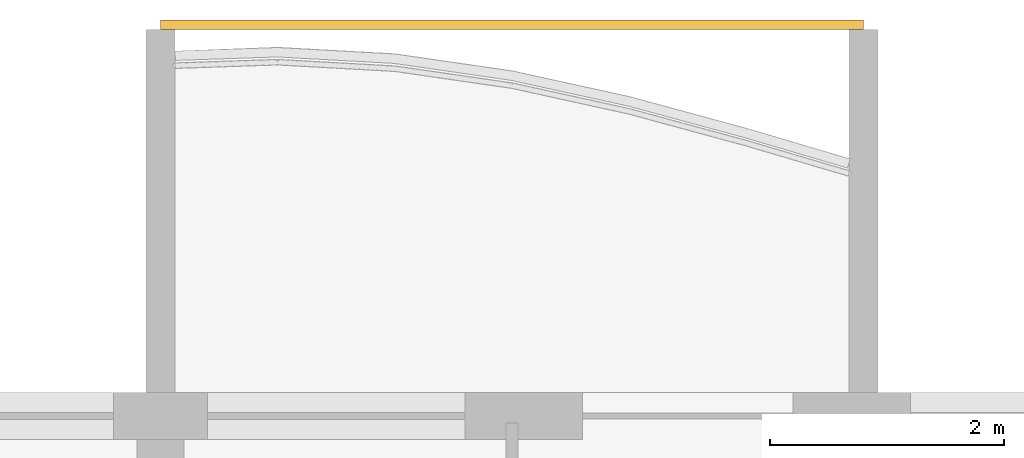
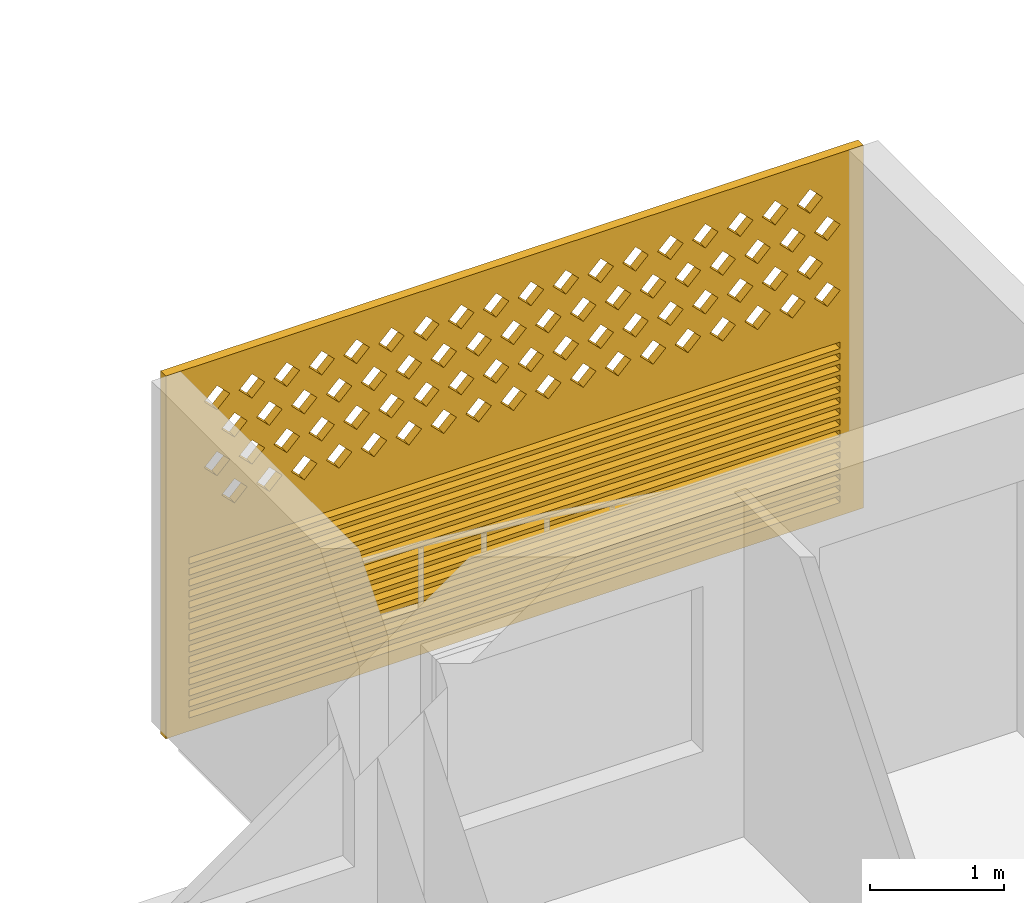
# One storey, part 25 of 40: 1 covering.
"""IFC4 building model written with IfcOpenShell, lengths in metres."""

from ifc_helpers import new_model, si_unit, direction, frame, origin, place, context, subcontext, project, spatial, polyline, outline, extrude, source, transform, mapped, material, material_profile, profile_set, type_object, element, save


model = new_model("IFC4")

# Units and contexts
model_context = context("Model", 3, precision=1e-05, world=origin(), true_north=direction((0.0, 1.0)))
body_context = subcontext(model_context, "Body", "Model", "MODEL_VIEW")
ifc_project = project(units=[si_unit("LENGTHUNIT", "METRE"), si_unit("AREAUNIT", "SQUARE_METRE"), si_unit("VOLUMEUNIT", "CUBIC_METRE"), si_unit("PLANEANGLEUNIT", "RADIAN"), si_unit("MASSUNIT", "GRAM", prefix="KILO")], contexts=[model_context])

# Site, building, storey
site_placement = place(None, origin())
site = spatial("IfcSite", under=ifc_project, at=site_placement, CompositionType="ELEMENT")
building_placement = place(site_placement, origin())
building = spatial("IfcBuilding", under=site, at=building_placement, Name="Poui Terraces", CompositionType="ELEMENT")
storey_placement = place(building_placement, frame((0.0, 0.0, 39.89990234375)))
storey = spatial("IfcBuildingStorey", under=building, at=storey_placement, Name="L10", CompositionType="ELEMENT", Elevation=39.89990234375)

# Covering
ifc_material = material(Name="Terracotta screen", Category="masonry")
ifc_material_profile = material_profile(ifc_material, outline(polyline([(-3.0, -1.64990234375), (3.0, -1.64990234375), (3.0, 1.64990234375), (-3.0, 1.64990234375), (-3.0, -1.64990234375)]), holes=[polyline([(-2.800048828125, 0.39990234375), (-2.68994140625, 0.2900390625), (-2.580078125, 0.39990234375), (-2.68994140625, 0.510009765625), (-2.800048828125, 0.39990234375)]), polyline([(-2.5, 0.39990234375), (-2.389892578125, 0.2900390625), (-2.280029296875, 0.39990234375), (-2.389892578125, 0.510009765625), (-2.5, 0.39990234375)]), polyline([(-2.199951171875, 0.39990234375), (-2.090087890625, 0.2900390625), (-1.97998046875, 0.39990234375), (-2.090087890625, 0.510009765625), (-2.199951171875, 0.39990234375)]), polyline([(-1.89990234375, 0.39990234375), (-1.7900390625, 0.2900390625), (-1.679931640625, 0.39990234375), (-1.7900390625, 0.510009765625), (-1.89990234375, 0.39990234375)]), polyline([(-1.60009765625, 0.39990234375), (-1.489990234375, 0.2900390625), (-1.3798828125, 0.39990234375), (-1.489990234375, 0.510009765625), (-1.60009765625, 0.39990234375)]), polyline([(-1.300048828125, 0.39990234375), (-1.18994140625, 0.2900390625), (-1.080078125, 0.39990234375), (-1.18994140625, 0.510009765625), (-1.300048828125, 0.39990234375)]), polyline([(-1.0, 0.39990234375), (-0.889892578125, 0.2900390625), (-0.780029296875, 0.39990234375), (-0.889892578125, 0.510009765625), (-1.0, 0.39990234375)]), polyline([(-0.699951171875, 0.39990234375), (-0.590087890625, 0.2900390625), (-0.47998046875, 0.39990234375), (-0.590087890625, 0.510009765625), (-0.699951171875, 0.39990234375)]), polyline([(-0.39990234375, 0.39990234375), (-0.2900390625, 0.2900390625), (-0.179931640625, 0.39990234375), (-0.2900390625, 0.510009765625), (-0.39990234375, 0.39990234375)]), polyline([(-0.10009765625, 0.39990234375), (0.010009765625, 0.2900390625), (0.1201171875, 0.39990234375), (0.010009765625, 0.510009765625), (-0.10009765625, 0.39990234375)]), polyline([(0.199951171875, 0.39990234375), (0.31005859375, 0.2900390625), (0.419921875, 0.39990234375), (0.31005859375, 0.510009765625), (0.199951171875, 0.39990234375)]), polyline([(0.5, 0.39990234375), (0.610107421875, 0.2900390625), (0.719970703125, 0.39990234375), (0.610107421875, 0.510009765625), (0.5, 0.39990234375)]), polyline([(0.800048828125, 0.39990234375), (0.909912109375, 0.2900390625), (1.02001953125, 0.39990234375), (0.909912109375, 0.510009765625), (0.800048828125, 0.39990234375)]), polyline([(1.10009765625, 0.39990234375), (1.2099609375, 0.2900390625), (1.320068359375, 0.39990234375), (1.2099609375, 0.510009765625), (1.10009765625, 0.39990234375)]), polyline([(1.39990234375, 0.39990234375), (1.510009765625, 0.2900390625), (1.6201171875, 0.39990234375), (1.510009765625, 0.510009765625), (1.39990234375, 0.39990234375)]), polyline([(1.699951171875, 0.39990234375), (1.81005859375, 0.2900390625), (1.919921875, 0.39990234375), (1.81005859375, 0.510009765625), (1.699951171875, 0.39990234375)]), polyline([(2.0, 0.39990234375), (2.110107421875, 0.2900390625), (2.219970703125, 0.39990234375), (2.110107421875, 0.510009765625), (2.0, 0.39990234375)]), polyline([(2.300048828125, 0.39990234375), (2.409912109375, 0.2900390625), (2.52001953125, 0.39990234375), (2.409912109375, 0.510009765625), (2.300048828125, 0.39990234375)]), polyline([(-2.64990234375, 0.699951171875), (-2.5400390625, 0.590087890625), (-2.429931640625, 0.699951171875), (-2.5400390625, 0.81005859375), (-2.64990234375, 0.699951171875)]), polyline([(-2.35009765625, 0.699951171875), (-2.239990234375, 0.590087890625), (-2.1298828125, 0.699951171875), (-2.239990234375, 0.81005859375), (-2.35009765625, 0.699951171875)]), polyline([(-2.050048828125, 0.699951171875), (-1.93994140625, 0.590087890625), (-1.830078125, 0.699951171875), (-1.93994140625, 0.81005859375), (-2.050048828125, 0.699951171875)]), polyline([(-1.75, 0.699951171875), (-1.639892578125, 0.590087890625), (-1.530029296875, 0.699951171875), (-1.639892578125, 0.81005859375), (-1.75, 0.699951171875)]), polyline([(-1.449951171875, 0.699951171875), (-1.340087890625, 0.590087890625), (-1.22998046875, 0.699951171875), (-1.340087890625, 0.81005859375), (-1.449951171875, 0.699951171875)]), polyline([(-1.14990234375, 0.699951171875), (-1.0400390625, 0.590087890625), (-0.929931640625, 0.699951171875), (-1.0400390625, 0.81005859375), (-1.14990234375, 0.699951171875)]), polyline([(-0.85009765625, 0.699951171875), (-0.739990234375, 0.590087890625), (-0.6298828125, 0.699951171875), (-0.739990234375, 0.81005859375), (-0.85009765625, 0.699951171875)]), polyline([(-0.550048828125, 0.699951171875), (-0.43994140625, 0.590087890625), (-0.330078125, 0.699951171875), (-0.43994140625, 0.81005859375), (-0.550048828125, 0.699951171875)]), polyline([(-0.25, 0.699951171875), (-0.139892578125, 0.590087890625), (-0.030029296875, 0.699951171875), (-0.139892578125, 0.81005859375), (-0.25, 0.699951171875)]), polyline([(0.050048828125, 0.699951171875), (0.159912109375, 0.590087890625), (0.27001953125, 0.699951171875), (0.159912109375, 0.81005859375), (0.050048828125, 0.699951171875)]), polyline([(0.35009765625, 0.699951171875), (0.4599609375, 0.590087890625), (0.570068359375, 0.699951171875), (0.4599609375, 0.81005859375), (0.35009765625, 0.699951171875)]), polyline([(0.64990234375, 0.699951171875), (0.760009765625, 0.590087890625), (0.8701171875, 0.699951171875), (0.760009765625, 0.81005859375), (0.64990234375, 0.699951171875)]), polyline([(0.949951171875, 0.699951171875), (1.06005859375, 0.590087890625), (1.169921875, 0.699951171875), (1.06005859375, 0.81005859375), (0.949951171875, 0.699951171875)]), polyline([(1.25, 0.699951171875), (1.360107421875, 0.590087890625), (1.469970703125, 0.699951171875), (1.360107421875, 0.81005859375), (1.25, 0.699951171875)]), polyline([(1.550048828125, 0.699951171875), (1.659912109375, 0.590087890625), (1.77001953125, 0.699951171875), (1.659912109375, 0.81005859375), (1.550048828125, 0.699951171875)]), polyline([(1.85009765625, 0.699951171875), (1.9599609375, 0.590087890625), (2.070068359375, 0.699951171875), (1.9599609375, 0.81005859375), (1.85009765625, 0.699951171875)]), polyline([(2.14990234375, 0.699951171875), (2.260009765625, 0.590087890625), (2.3701171875, 0.699951171875), (2.260009765625, 0.81005859375), (2.14990234375, 0.699951171875)]), polyline([(2.449951171875, 0.699951171875), (2.56005859375, 0.590087890625), (2.669921875, 0.699951171875), (2.56005859375, 0.81005859375), (2.449951171875, 0.699951171875)]), polyline([(-2.800048828125, 1.0), (-2.68994140625, 0.889892578125), (-2.580078125, 1.0), (-2.68994140625, 1.110107421875), (-2.800048828125, 1.0)]), polyline([(-2.5, 1.0), (-2.389892578125, 0.889892578125), (-2.280029296875, 1.0), (-2.389892578125, 1.110107421875), (-2.5, 1.0)]), polyline([(-2.199951171875, 1.0), (-2.090087890625, 0.889892578125), (-1.97998046875, 1.0), (-2.090087890625, 1.110107421875), (-2.199951171875, 1.0)]), polyline([(-1.89990234375, 1.0), (-1.7900390625, 0.889892578125), (-1.679931640625, 1.0), (-1.7900390625, 1.110107421875), (-1.89990234375, 1.0)]), polyline([(-1.60009765625, 1.0), (-1.489990234375, 0.889892578125), (-1.3798828125, 1.0), (-1.489990234375, 1.110107421875), (-1.60009765625, 1.0)]), polyline([(-1.300048828125, 1.0), (-1.18994140625, 0.889892578125), (-1.080078125, 1.0), (-1.18994140625, 1.110107421875), (-1.300048828125, 1.0)]), polyline([(-1.0, 1.0), (-0.889892578125, 0.889892578125), (-0.780029296875, 1.0), (-0.889892578125, 1.110107421875), (-1.0, 1.0)]), polyline([(-0.699951171875, 1.0), (-0.590087890625, 0.889892578125), (-0.47998046875, 1.0), (-0.590087890625, 1.110107421875), (-0.699951171875, 1.0)]), polyline([(-0.39990234375, 1.0), (-0.2900390625, 0.889892578125), (-0.179931640625, 1.0), (-0.2900390625, 1.110107421875), (-0.39990234375, 1.0)]), polyline([(-0.10009765625, 1.0), (0.010009765625, 0.889892578125), (0.1201171875, 1.0), (0.010009765625, 1.110107421875), (-0.10009765625, 1.0)]), polyline([(0.199951171875, 1.0), (0.31005859375, 0.889892578125), (0.419921875, 1.0), (0.31005859375, 1.110107421875), (0.199951171875, 1.0)]), polyline([(0.5, 1.0), (0.610107421875, 0.889892578125), (0.719970703125, 1.0), (0.610107421875, 1.110107421875), (0.5, 1.0)]), polyline([(0.800048828125, 1.0), (0.909912109375, 0.889892578125), (1.02001953125, 1.0), (0.909912109375, 1.110107421875), (0.800048828125, 1.0)]), polyline([(1.10009765625, 1.0), (1.2099609375, 0.889892578125), (1.320068359375, 1.0), (1.2099609375, 1.110107421875), (1.10009765625, 1.0)]), polyline([(1.39990234375, 1.0), (1.510009765625, 0.889892578125), (1.6201171875, 1.0), (1.510009765625, 1.110107421875), (1.39990234375, 1.0)]), polyline([(1.699951171875, 1.0), (1.81005859375, 0.889892578125), (1.919921875, 1.0), (1.81005859375, 1.110107421875), (1.699951171875, 1.0)]), polyline([(2.0, 1.0), (2.110107421875, 0.889892578125), (2.219970703125, 1.0), (2.110107421875, 1.110107421875), (2.0, 1.0)]), polyline([(2.300048828125, 1.0), (2.409912109375, 0.889892578125), (2.52001953125, 1.0), (2.409912109375, 1.110107421875), (2.300048828125, 1.0)]), polyline([(-2.64990234375, 1.300048828125), (-2.5400390625, 1.18994140625), (-2.429931640625, 1.300048828125), (-2.5400390625, 1.409912109375), (-2.64990234375, 1.300048828125)]), polyline([(-2.35009765625, 1.300048828125), (-2.239990234375, 1.18994140625), (-2.1298828125, 1.300048828125), (-2.239990234375, 1.409912109375), (-2.35009765625, 1.300048828125)]), polyline([(-2.050048828125, 1.300048828125), (-1.93994140625, 1.18994140625), (-1.830078125, 1.300048828125), (-1.93994140625, 1.409912109375), (-2.050048828125, 1.300048828125)]), polyline([(-1.75, 1.300048828125), (-1.639892578125, 1.18994140625), (-1.530029296875, 1.300048828125), (-1.639892578125, 1.409912109375), (-1.75, 1.300048828125)]), polyline([(-1.449951171875, 1.300048828125), (-1.340087890625, 1.18994140625), (-1.22998046875, 1.300048828125), (-1.340087890625, 1.409912109375), (-1.449951171875, 1.300048828125)]), polyline([(-1.14990234375, 1.300048828125), (-1.0400390625, 1.18994140625), (-0.929931640625, 1.300048828125), (-1.0400390625, 1.409912109375), (-1.14990234375, 1.300048828125)]), polyline([(-0.85009765625, 1.300048828125), (-0.739990234375, 1.18994140625), (-0.6298828125, 1.300048828125), (-0.739990234375, 1.409912109375), (-0.85009765625, 1.300048828125)]), polyline([(-0.550048828125, 1.300048828125), (-0.43994140625, 1.18994140625), (-0.330078125, 1.300048828125), (-0.43994140625, 1.409912109375), (-0.550048828125, 1.300048828125)]), polyline([(-0.25, 1.300048828125), (-0.139892578125, 1.18994140625), (-0.030029296875, 1.300048828125), (-0.139892578125, 1.409912109375), (-0.25, 1.300048828125)]), polyline([(0.050048828125, 1.300048828125), (0.159912109375, 1.18994140625), (0.27001953125, 1.300048828125), (0.159912109375, 1.409912109375), (0.050048828125, 1.300048828125)]), polyline([(0.35009765625, 1.300048828125), (0.4599609375, 1.18994140625), (0.570068359375, 1.300048828125), (0.4599609375, 1.409912109375), (0.35009765625, 1.300048828125)]), polyline([(0.64990234375, 1.300048828125), (0.760009765625, 1.18994140625), (0.8701171875, 1.300048828125), (0.760009765625, 1.409912109375), (0.64990234375, 1.300048828125)]), polyline([(0.949951171875, 1.300048828125), (1.06005859375, 1.18994140625), (1.169921875, 1.300048828125), (1.06005859375, 1.409912109375), (0.949951171875, 1.300048828125)]), polyline([(1.25, 1.300048828125), (1.360107421875, 1.18994140625), (1.469970703125, 1.300048828125), (1.360107421875, 1.409912109375), (1.25, 1.300048828125)]), polyline([(1.550048828125, 1.300048828125), (1.659912109375, 1.18994140625), (1.77001953125, 1.300048828125), (1.659912109375, 1.409912109375), (1.550048828125, 1.300048828125)]), polyline([(1.85009765625, 1.300048828125), (1.9599609375, 1.18994140625), (2.070068359375, 1.300048828125), (1.9599609375, 1.409912109375), (1.85009765625, 1.300048828125)]), polyline([(2.14990234375, 1.300048828125), (2.260009765625, 1.18994140625), (2.3701171875, 1.300048828125), (2.260009765625, 1.409912109375), (2.14990234375, 1.300048828125)]), polyline([(2.449951171875, 1.300048828125), (2.56005859375, 1.18994140625), (2.669921875, 1.300048828125), (2.56005859375, 1.409912109375), (2.449951171875, 1.300048828125)]), polyline([(-2.800048828125, -1.530029296875), (2.800048828125, -1.530029296875), (2.800048828125, -1.469970703125), (-2.800048828125, -1.469970703125), (-2.800048828125, -1.530029296875)]), polyline([(-2.800048828125, -1.429931640625), (2.800048828125, -1.429931640625), (2.800048828125, -1.3701171875), (-2.800048828125, -1.3701171875), (-2.800048828125, -1.429931640625)]), polyline([(-2.800048828125, -1.330078125), (2.800048828125, -1.330078125), (2.800048828125, -1.27001953125), (-2.800048828125, -1.27001953125), (-2.800048828125, -1.330078125)]), polyline([(-2.800048828125, -1.22998046875), (2.800048828125, -1.22998046875), (2.800048828125, -1.169921875), (-2.800048828125, -1.169921875), (-2.800048828125, -1.22998046875)]), polyline([(-2.800048828125, -1.1298828125), (2.800048828125, -1.1298828125), (2.800048828125, -1.070068359375), (-2.800048828125, -1.070068359375), (-2.800048828125, -1.1298828125)]), polyline([(-2.800048828125, -1.030029296875), (2.800048828125, -1.030029296875), (2.800048828125, -0.969970703125), (-2.800048828125, -0.969970703125), (-2.800048828125, -1.030029296875)]), polyline([(-2.800048828125, -0.929931640625), (2.800048828125, -0.929931640625), (2.800048828125, -0.8701171875), (-2.800048828125, -0.8701171875), (-2.800048828125, -0.929931640625)]), polyline([(-2.800048828125, -0.830078125), (2.800048828125, -0.830078125), (2.800048828125, -0.77001953125), (-2.800048828125, -0.77001953125), (-2.800048828125, -0.830078125)]), polyline([(-2.800048828125, -0.72998046875), (2.800048828125, -0.72998046875), (2.800048828125, -0.669921875), (-2.800048828125, -0.669921875), (-2.800048828125, -0.72998046875)]), polyline([(-2.800048828125, -0.6298828125), (2.800048828125, -0.6298828125), (2.800048828125, -0.570068359375), (-2.800048828125, -0.570068359375), (-2.800048828125, -0.6298828125)]), polyline([(-2.800048828125, -0.530029296875), (2.800048828125, -0.530029296875), (2.800048828125, -0.469970703125), (-2.800048828125, -0.469970703125), (-2.800048828125, -0.530029296875)]), polyline([(-2.800048828125, -0.429931640625), (2.800048828125, -0.429931640625), (2.800048828125, -0.3701171875), (-2.800048828125, -0.3701171875), (-2.800048828125, -0.429931640625)]), polyline([(-2.800048828125, -0.330078125), (2.800048828125, -0.330078125), (2.800048828125, -0.27001953125), (-2.800048828125, -0.27001953125), (-2.800048828125, -0.330078125)]), polyline([(-2.800048828125, -0.22998046875), (2.800048828125, -0.22998046875), (2.800048828125, -0.169921875), (-2.800048828125, -0.169921875), (-2.800048828125, -0.22998046875)]), polyline([(-2.800048828125, -0.1298828125), (2.800048828125, -0.1298828125), (2.800048828125, -0.070068359375), (-2.800048828125, -0.070068359375), (-2.800048828125, -0.1298828125)])]), Name="TERRACOTTA SCREEN AND JALOUSIE LOUVRE 6000X3300")
ifc_profile_set = profile_set([ifc_material_profile], Name="Terracotta screen")
covering_type = type_object("IfcCoveringType", Name="TERRACOTTA SCREEN AND JALOUSIE LOUVRE 6000X3300", PredefinedType="CLADDING", material=ifc_profile_set)
shared_shape = source(origin(), body_context, "Body", "SweptSolid", [
    extrude(outline(polyline([(-3.0, -1.64990234375), (3.0, -1.64990234375), (3.0, 1.64990234375), (-3.0, 1.64990234375), (-3.0, -1.64990234375)]), holes=[polyline([(-2.800048828125, 0.39990234375), (-2.68994140625, 0.2900390625), (-2.580078125, 0.39990234375), (-2.68994140625, 0.510009765625), (-2.800048828125, 0.39990234375)]), polyline([(-2.5, 0.39990234375), (-2.389892578125, 0.2900390625), (-2.280029296875, 0.39990234375), (-2.389892578125, 0.510009765625), (-2.5, 0.39990234375)]), polyline([(-2.199951171875, 0.39990234375), (-2.090087890625, 0.2900390625), (-1.97998046875, 0.39990234375), (-2.090087890625, 0.510009765625), (-2.199951171875, 0.39990234375)]), polyline([(-1.89990234375, 0.39990234375), (-1.7900390625, 0.2900390625), (-1.679931640625, 0.39990234375), (-1.7900390625, 0.510009765625), (-1.89990234375, 0.39990234375)]), polyline([(-1.60009765625, 0.39990234375), (-1.489990234375, 0.2900390625), (-1.3798828125, 0.39990234375), (-1.489990234375, 0.510009765625), (-1.60009765625, 0.39990234375)]), polyline([(-1.300048828125, 0.39990234375), (-1.18994140625, 0.2900390625), (-1.080078125, 0.39990234375), (-1.18994140625, 0.510009765625), (-1.300048828125, 0.39990234375)]), polyline([(-1.0, 0.39990234375), (-0.889892578125, 0.2900390625), (-0.780029296875, 0.39990234375), (-0.889892578125, 0.510009765625), (-1.0, 0.39990234375)]), polyline([(-0.699951171875, 0.39990234375), (-0.590087890625, 0.2900390625), (-0.47998046875, 0.39990234375), (-0.590087890625, 0.510009765625), (-0.699951171875, 0.39990234375)]), polyline([(-0.39990234375, 0.39990234375), (-0.2900390625, 0.2900390625), (-0.179931640625, 0.39990234375), (-0.2900390625, 0.510009765625), (-0.39990234375, 0.39990234375)]), polyline([(-0.10009765625, 0.39990234375), (0.010009765625, 0.2900390625), (0.1201171875, 0.39990234375), (0.010009765625, 0.510009765625), (-0.10009765625, 0.39990234375)]), polyline([(0.199951171875, 0.39990234375), (0.31005859375, 0.2900390625), (0.419921875, 0.39990234375), (0.31005859375, 0.510009765625), (0.199951171875, 0.39990234375)]), polyline([(0.5, 0.39990234375), (0.610107421875, 0.2900390625), (0.719970703125, 0.39990234375), (0.610107421875, 0.510009765625), (0.5, 0.39990234375)]), polyline([(0.800048828125, 0.39990234375), (0.909912109375, 0.2900390625), (1.02001953125, 0.39990234375), (0.909912109375, 0.510009765625), (0.800048828125, 0.39990234375)]), polyline([(1.10009765625, 0.39990234375), (1.2099609375, 0.2900390625), (1.320068359375, 0.39990234375), (1.2099609375, 0.510009765625), (1.10009765625, 0.39990234375)]), polyline([(1.39990234375, 0.39990234375), (1.510009765625, 0.2900390625), (1.6201171875, 0.39990234375), (1.510009765625, 0.510009765625), (1.39990234375, 0.39990234375)]), polyline([(1.699951171875, 0.39990234375), (1.81005859375, 0.2900390625), (1.919921875, 0.39990234375), (1.81005859375, 0.510009765625), (1.699951171875, 0.39990234375)]), polyline([(2.0, 0.39990234375), (2.110107421875, 0.2900390625), (2.219970703125, 0.39990234375), (2.110107421875, 0.510009765625), (2.0, 0.39990234375)]), polyline([(2.300048828125, 0.39990234375), (2.409912109375, 0.2900390625), (2.52001953125, 0.39990234375), (2.409912109375, 0.510009765625), (2.300048828125, 0.39990234375)]), polyline([(-2.64990234375, 0.699951171875), (-2.5400390625, 0.590087890625), (-2.429931640625, 0.699951171875), (-2.5400390625, 0.81005859375), (-2.64990234375, 0.699951171875)]), polyline([(-2.35009765625, 0.699951171875), (-2.239990234375, 0.590087890625), (-2.1298828125, 0.699951171875), (-2.239990234375, 0.81005859375), (-2.35009765625, 0.699951171875)]), polyline([(-2.050048828125, 0.699951171875), (-1.93994140625, 0.590087890625), (-1.830078125, 0.699951171875), (-1.93994140625, 0.81005859375), (-2.050048828125, 0.699951171875)]), polyline([(-1.75, 0.699951171875), (-1.639892578125, 0.590087890625), (-1.530029296875, 0.699951171875), (-1.639892578125, 0.81005859375), (-1.75, 0.699951171875)]), polyline([(-1.449951171875, 0.699951171875), (-1.340087890625, 0.590087890625), (-1.22998046875, 0.699951171875), (-1.340087890625, 0.81005859375), (-1.449951171875, 0.699951171875)]), polyline([(-1.14990234375, 0.699951171875), (-1.0400390625, 0.590087890625), (-0.929931640625, 0.699951171875), (-1.0400390625, 0.81005859375), (-1.14990234375, 0.699951171875)]), polyline([(-0.85009765625, 0.699951171875), (-0.739990234375, 0.590087890625), (-0.6298828125, 0.699951171875), (-0.739990234375, 0.81005859375), (-0.85009765625, 0.699951171875)]), polyline([(-0.550048828125, 0.699951171875), (-0.43994140625, 0.590087890625), (-0.330078125, 0.699951171875), (-0.43994140625, 0.81005859375), (-0.550048828125, 0.699951171875)]), polyline([(-0.25, 0.699951171875), (-0.139892578125, 0.590087890625), (-0.030029296875, 0.699951171875), (-0.139892578125, 0.81005859375), (-0.25, 0.699951171875)]), polyline([(0.050048828125, 0.699951171875), (0.159912109375, 0.590087890625), (0.27001953125, 0.699951171875), (0.159912109375, 0.81005859375), (0.050048828125, 0.699951171875)]), polyline([(0.35009765625, 0.699951171875), (0.4599609375, 0.590087890625), (0.570068359375, 0.699951171875), (0.4599609375, 0.81005859375), (0.35009765625, 0.699951171875)]), polyline([(0.64990234375, 0.699951171875), (0.760009765625, 0.590087890625), (0.8701171875, 0.699951171875), (0.760009765625, 0.81005859375), (0.64990234375, 0.699951171875)]), polyline([(0.949951171875, 0.699951171875), (1.06005859375, 0.590087890625), (1.169921875, 0.699951171875), (1.06005859375, 0.81005859375), (0.949951171875, 0.699951171875)]), polyline([(1.25, 0.699951171875), (1.360107421875, 0.590087890625), (1.469970703125, 0.699951171875), (1.360107421875, 0.81005859375), (1.25, 0.699951171875)]), polyline([(1.550048828125, 0.699951171875), (1.659912109375, 0.590087890625), (1.77001953125, 0.699951171875), (1.659912109375, 0.81005859375), (1.550048828125, 0.699951171875)]), polyline([(1.85009765625, 0.699951171875), (1.9599609375, 0.590087890625), (2.070068359375, 0.699951171875), (1.9599609375, 0.81005859375), (1.85009765625, 0.699951171875)]), polyline([(2.14990234375, 0.699951171875), (2.260009765625, 0.590087890625), (2.3701171875, 0.699951171875), (2.260009765625, 0.81005859375), (2.14990234375, 0.699951171875)]), polyline([(2.449951171875, 0.699951171875), (2.56005859375, 0.590087890625), (2.669921875, 0.699951171875), (2.56005859375, 0.81005859375), (2.449951171875, 0.699951171875)]), polyline([(-2.800048828125, 1.0), (-2.68994140625, 0.889892578125), (-2.580078125, 1.0), (-2.68994140625, 1.110107421875), (-2.800048828125, 1.0)]), polyline([(-2.5, 1.0), (-2.389892578125, 0.889892578125), (-2.280029296875, 1.0), (-2.389892578125, 1.110107421875), (-2.5, 1.0)]), polyline([(-2.199951171875, 1.0), (-2.090087890625, 0.889892578125), (-1.97998046875, 1.0), (-2.090087890625, 1.110107421875), (-2.199951171875, 1.0)]), polyline([(-1.89990234375, 1.0), (-1.7900390625, 0.889892578125), (-1.679931640625, 1.0), (-1.7900390625, 1.110107421875), (-1.89990234375, 1.0)]), polyline([(-1.60009765625, 1.0), (-1.489990234375, 0.889892578125), (-1.3798828125, 1.0), (-1.489990234375, 1.110107421875), (-1.60009765625, 1.0)]), polyline([(-1.300048828125, 1.0), (-1.18994140625, 0.889892578125), (-1.080078125, 1.0), (-1.18994140625, 1.110107421875), (-1.300048828125, 1.0)]), polyline([(-1.0, 1.0), (-0.889892578125, 0.889892578125), (-0.780029296875, 1.0), (-0.889892578125, 1.110107421875), (-1.0, 1.0)]), polyline([(-0.699951171875, 1.0), (-0.590087890625, 0.889892578125), (-0.47998046875, 1.0), (-0.590087890625, 1.110107421875), (-0.699951171875, 1.0)]), polyline([(-0.39990234375, 1.0), (-0.2900390625, 0.889892578125), (-0.179931640625, 1.0), (-0.2900390625, 1.110107421875), (-0.39990234375, 1.0)]), polyline([(-0.10009765625, 1.0), (0.010009765625, 0.889892578125), (0.1201171875, 1.0), (0.010009765625, 1.110107421875), (-0.10009765625, 1.0)]), polyline([(0.199951171875, 1.0), (0.31005859375, 0.889892578125), (0.419921875, 1.0), (0.31005859375, 1.110107421875), (0.199951171875, 1.0)]), polyline([(0.5, 1.0), (0.610107421875, 0.889892578125), (0.719970703125, 1.0), (0.610107421875, 1.110107421875), (0.5, 1.0)]), polyline([(0.800048828125, 1.0), (0.909912109375, 0.889892578125), (1.02001953125, 1.0), (0.909912109375, 1.110107421875), (0.800048828125, 1.0)]), polyline([(1.10009765625, 1.0), (1.2099609375, 0.889892578125), (1.320068359375, 1.0), (1.2099609375, 1.110107421875), (1.10009765625, 1.0)]), polyline([(1.39990234375, 1.0), (1.510009765625, 0.889892578125), (1.6201171875, 1.0), (1.510009765625, 1.110107421875), (1.39990234375, 1.0)]), polyline([(1.699951171875, 1.0), (1.81005859375, 0.889892578125), (1.919921875, 1.0), (1.81005859375, 1.110107421875), (1.699951171875, 1.0)]), polyline([(2.0, 1.0), (2.110107421875, 0.889892578125), (2.219970703125, 1.0), (2.110107421875, 1.110107421875), (2.0, 1.0)]), polyline([(2.300048828125, 1.0), (2.409912109375, 0.889892578125), (2.52001953125, 1.0), (2.409912109375, 1.110107421875), (2.300048828125, 1.0)]), polyline([(-2.64990234375, 1.300048828125), (-2.5400390625, 1.18994140625), (-2.429931640625, 1.300048828125), (-2.5400390625, 1.409912109375), (-2.64990234375, 1.300048828125)]), polyline([(-2.35009765625, 1.300048828125), (-2.239990234375, 1.18994140625), (-2.1298828125, 1.300048828125), (-2.239990234375, 1.409912109375), (-2.35009765625, 1.300048828125)]), polyline([(-2.050048828125, 1.300048828125), (-1.93994140625, 1.18994140625), (-1.830078125, 1.300048828125), (-1.93994140625, 1.409912109375), (-2.050048828125, 1.300048828125)]), polyline([(-1.75, 1.300048828125), (-1.639892578125, 1.18994140625), (-1.530029296875, 1.300048828125), (-1.639892578125, 1.409912109375), (-1.75, 1.300048828125)]), polyline([(-1.449951171875, 1.300048828125), (-1.340087890625, 1.18994140625), (-1.22998046875, 1.300048828125), (-1.340087890625, 1.409912109375), (-1.449951171875, 1.300048828125)]), polyline([(-1.14990234375, 1.300048828125), (-1.0400390625, 1.18994140625), (-0.929931640625, 1.300048828125), (-1.0400390625, 1.409912109375), (-1.14990234375, 1.300048828125)]), polyline([(-0.85009765625, 1.300048828125), (-0.739990234375, 1.18994140625), (-0.6298828125, 1.300048828125), (-0.739990234375, 1.409912109375), (-0.85009765625, 1.300048828125)]), polyline([(-0.550048828125, 1.300048828125), (-0.43994140625, 1.18994140625), (-0.330078125, 1.300048828125), (-0.43994140625, 1.409912109375), (-0.550048828125, 1.300048828125)]), polyline([(-0.25, 1.300048828125), (-0.139892578125, 1.18994140625), (-0.030029296875, 1.300048828125), (-0.139892578125, 1.409912109375), (-0.25, 1.300048828125)]), polyline([(0.050048828125, 1.300048828125), (0.159912109375, 1.18994140625), (0.27001953125, 1.300048828125), (0.159912109375, 1.409912109375), (0.050048828125, 1.300048828125)]), polyline([(0.35009765625, 1.300048828125), (0.4599609375, 1.18994140625), (0.570068359375, 1.300048828125), (0.4599609375, 1.409912109375), (0.35009765625, 1.300048828125)]), polyline([(0.64990234375, 1.300048828125), (0.760009765625, 1.18994140625), (0.8701171875, 1.300048828125), (0.760009765625, 1.409912109375), (0.64990234375, 1.300048828125)]), polyline([(0.949951171875, 1.300048828125), (1.06005859375, 1.18994140625), (1.169921875, 1.300048828125), (1.06005859375, 1.409912109375), (0.949951171875, 1.300048828125)]), polyline([(1.25, 1.300048828125), (1.360107421875, 1.18994140625), (1.469970703125, 1.300048828125), (1.360107421875, 1.409912109375), (1.25, 1.300048828125)]), polyline([(1.550048828125, 1.300048828125), (1.659912109375, 1.18994140625), (1.77001953125, 1.300048828125), (1.659912109375, 1.409912109375), (1.550048828125, 1.300048828125)]), polyline([(1.85009765625, 1.300048828125), (1.9599609375, 1.18994140625), (2.070068359375, 1.300048828125), (1.9599609375, 1.409912109375), (1.85009765625, 1.300048828125)]), polyline([(2.14990234375, 1.300048828125), (2.260009765625, 1.18994140625), (2.3701171875, 1.300048828125), (2.260009765625, 1.409912109375), (2.14990234375, 1.300048828125)]), polyline([(2.449951171875, 1.300048828125), (2.56005859375, 1.18994140625), (2.669921875, 1.300048828125), (2.56005859375, 1.409912109375), (2.449951171875, 1.300048828125)]), polyline([(-2.800048828125, -1.530029296875), (2.800048828125, -1.530029296875), (2.800048828125, -1.469970703125), (-2.800048828125, -1.469970703125), (-2.800048828125, -1.530029296875)]), polyline([(-2.800048828125, -1.429931640625), (2.800048828125, -1.429931640625), (2.800048828125, -1.3701171875), (-2.800048828125, -1.3701171875), (-2.800048828125, -1.429931640625)]), polyline([(-2.800048828125, -1.330078125), (2.800048828125, -1.330078125), (2.800048828125, -1.27001953125), (-2.800048828125, -1.27001953125), (-2.800048828125, -1.330078125)]), polyline([(-2.800048828125, -1.22998046875), (2.800048828125, -1.22998046875), (2.800048828125, -1.169921875), (-2.800048828125, -1.169921875), (-2.800048828125, -1.22998046875)]), polyline([(-2.800048828125, -1.1298828125), (2.800048828125, -1.1298828125), (2.800048828125, -1.070068359375), (-2.800048828125, -1.070068359375), (-2.800048828125, -1.1298828125)]), polyline([(-2.800048828125, -1.030029296875), (2.800048828125, -1.030029296875), (2.800048828125, -0.969970703125), (-2.800048828125, -0.969970703125), (-2.800048828125, -1.030029296875)]), polyline([(-2.800048828125, -0.929931640625), (2.800048828125, -0.929931640625), (2.800048828125, -0.8701171875), (-2.800048828125, -0.8701171875), (-2.800048828125, -0.929931640625)]), polyline([(-2.800048828125, -0.830078125), (2.800048828125, -0.830078125), (2.800048828125, -0.77001953125), (-2.800048828125, -0.77001953125), (-2.800048828125, -0.830078125)]), polyline([(-2.800048828125, -0.72998046875), (2.800048828125, -0.72998046875), (2.800048828125, -0.669921875), (-2.800048828125, -0.669921875), (-2.800048828125, -0.72998046875)]), polyline([(-2.800048828125, -0.6298828125), (2.800048828125, -0.6298828125), (2.800048828125, -0.570068359375), (-2.800048828125, -0.570068359375), (-2.800048828125, -0.6298828125)]), polyline([(-2.800048828125, -0.530029296875), (2.800048828125, -0.530029296875), (2.800048828125, -0.469970703125), (-2.800048828125, -0.469970703125), (-2.800048828125, -0.530029296875)]), polyline([(-2.800048828125, -0.429931640625), (2.800048828125, -0.429931640625), (2.800048828125, -0.3701171875), (-2.800048828125, -0.3701171875), (-2.800048828125, -0.429931640625)]), polyline([(-2.800048828125, -0.330078125), (2.800048828125, -0.330078125), (2.800048828125, -0.27001953125), (-2.800048828125, -0.27001953125), (-2.800048828125, -0.330078125)]), polyline([(-2.800048828125, -0.22998046875), (2.800048828125, -0.22998046875), (2.800048828125, -0.169921875), (-2.800048828125, -0.169921875), (-2.800048828125, -0.22998046875)]), polyline([(-2.800048828125, -0.1298828125), (2.800048828125, -0.1298828125), (2.800048828125, -0.070068359375), (-2.800048828125, -0.070068359375), (-2.800048828125, -0.1298828125)])]), origin(), (0.0, 0.0, 1.0), 0.079833984375),
])
covering_placement = place(storey_placement, frame((27.0, 48.10009765625, 1.4501953125), z_axis=(0.0, 1.0, 0.0), x_axis=(-1.0, 0.0, 0.0)))
element("IfcCovering", 1, at=covering_placement, inside=storey, type_object=covering_type, Name="SOLAR SCREEN AND JALOUSIE LOUVRE", PredefinedType="CLADDING", context=body_context, shape_type="MappedRepresentation", body=[
    mapped(shared_shape, transform((0.0, 0.0, 0.0))),
])

save(model, "model.ifc")
